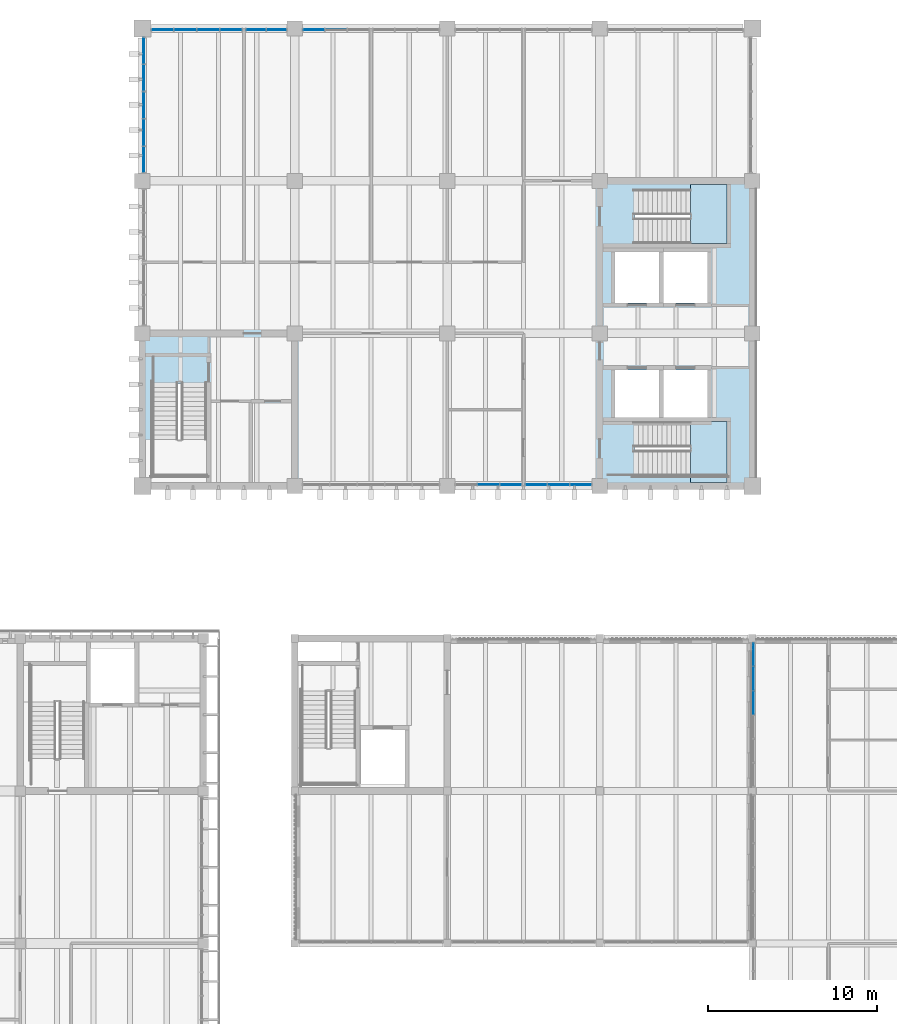
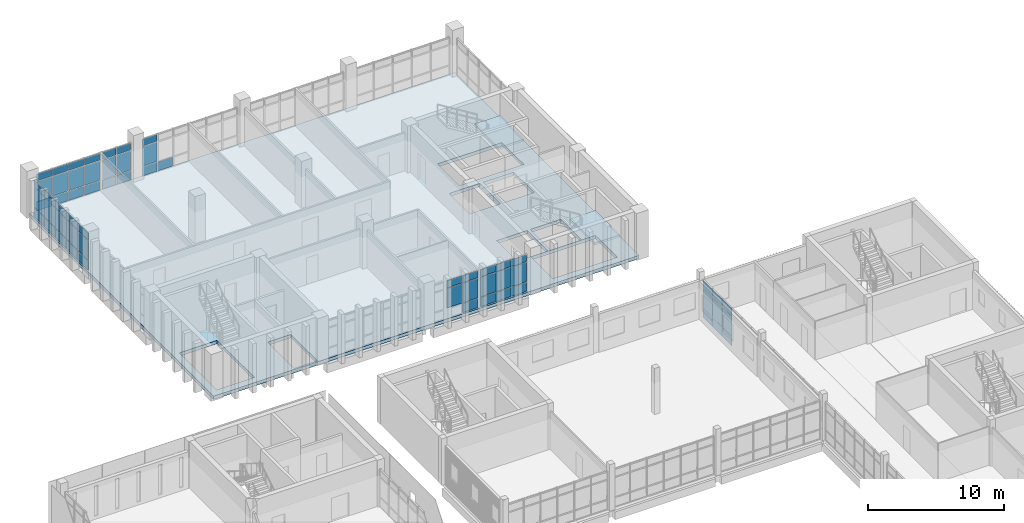
# One storey, part 47 of 88: 60 plates, 3 slabs, 9 elements without a shape of their own.
"""IFC4 building model written with IfcOpenShell, lengths in metres."""

from ifc_helpers import new_model, si_unit, direction, frame, origin, origin_2d, place, context, subcontext, project, spatial, polyline, rectangle, outline, extrude, material, layer, layer_set, type_object, element, aggregate, save


model = new_model("IFC4")

# Units and contexts
model_context = context("Model", 3, precision=1e-05, world=origin(), true_north=direction((0.0, 1.0)))
body_context = subcontext(model_context, "Body", "Model", "MODEL_VIEW")
ifc_project = project(units=[si_unit("LENGTHUNIT", "METRE"), si_unit("AREAUNIT", "SQUARE_METRE"), si_unit("VOLUMEUNIT", "CUBIC_METRE"), si_unit("PLANEANGLEUNIT", "RADIAN"), si_unit("MASSUNIT", "GRAM", prefix="KILO")], contexts=[model_context])

# Site, building, storey
site_placement = place(None, origin())
site = spatial("IfcSite", under=ifc_project, at=site_placement, CompositionType="ELEMENT")
building_placement = place(site_placement, origin())
building = spatial("IfcBuilding", under=site, at=building_placement, Name="Merrow Basin Faculty of Sciences", CompositionType="ELEMENT")
storey_placement = place(building_placement, frame((0.0, 0.0, 9.0)))
storey = spatial("IfcBuildingStorey", under=building, at=storey_placement, Name="L02", CompositionType="ELEMENT", Elevation=9.0)

# Slab
ifc_material_1 = material(Name="Concrete C40/50", Category="concrete")
ifc_layer_1 = layer(ifc_material_1, 0.300048828125)
ifc_layer_set_1 = layer_set([ifc_layer_1], Name="Floor slab 300 Concrete C40/50")
slab_type_1 = type_object("IfcSlabType", Name="Floor slab 300 Concrete C40/50", PredefinedType="FLOOR", material=ifc_layer_set_1)
slab_1_placement = place(storey_placement, frame((0.0, 0.0, -0.300048828125)))
element("IfcSlab", 1, at=slab_1_placement, inside=storey, type_object=slab_type_1, Name="SL11 floor L02 001", PredefinedType="FLOOR", context=body_context, shape_type="SweptSolid", body=[
    extrude(outline(polyline([(54.0, 169.0), (54.0, 142.0), (18.0, 142.0), (18.0, 169.0), (54.0, 169.0)]), holes=[polyline([(52.5, 142.60009765625), (52.5, 145.800048828125), (47.050048828125, 145.800048828125), (47.050048828125, 142.60009765625), (52.5, 142.60009765625)]), polyline([(52.5, 156.300048828125), (52.5, 159.5), (47.050048828125, 159.5), (47.050048828125, 156.300048828125), (52.5, 156.300048828125)]), polyline([(51.35009765625, 145.85009765625), (51.35009765625, 148.85009765625), (48.75, 148.85009765625), (48.75, 145.85009765625), (51.35009765625, 145.85009765625)]), polyline([(51.35009765625, 152.800048828125), (51.35009765625, 155.800048828125), (48.75, 155.800048828125), (48.75, 152.800048828125), (51.35009765625, 152.800048828125)]), polyline([(48.5, 145.85009765625), (48.5, 148.85009765625), (45.89990234375, 148.85009765625), (45.89990234375, 145.85009765625), (48.5, 145.85009765625)]), polyline([(48.5, 152.800048828125), (48.5, 155.800048828125), (45.89990234375, 155.800048828125), (45.89990234375, 152.800048828125), (48.5, 152.800048828125)]), polyline([(26.85009765625, 142.14990234375), (26.85009765625, 146.0), (24.90087890625, 146.0), (24.90087890625, 142.14990234375), (26.85009765625, 142.14990234375)]), polyline([(21.800048828125, 142.60009765625), (21.800048828125, 148.050048828125), (18.60009765625, 148.050048828125), (18.60009765625, 142.60009765625), (21.800048828125, 142.60009765625)])]), origin(), (0.0, 0.0, 1.0), 0.300048828125),
])

# Curtain wall, plates
ifc_material_2 = material(Name="Aluminium alloy 6063", Category="aluminium")
curtain_wall_type_1 = type_object("IfcCurtainWallType", Name="Court curtain wall 140", PredefinedType="NOTDEFINED", material=ifc_material_2)
curtain_wall_1_placement = place(storey_placement, origin())
curtain_wall_1 = element("IfcCurtainWall", 2, at=curtain_wall_1_placement, inside=storey, type_object=curtain_wall_type_1, Name="Court curtain wall L02 8", PredefinedType="NOTDEFINED")
ifc_material_3 = material(Name="Insulated aluminium spandrel panel", Category="aluminium")
ifc_layer_2 = layer(ifc_material_3, 0.052001953125)
ifc_layer_set_2 = layer_set([ifc_layer_2], Name="Insulated spandrel panel 52")
plate_type_1 = type_object("IfcPlateType", Name="Insulated spandrel panel 52", PredefinedType="CURTAIN_PANEL", material=ifc_layer_set_2)
plate_1_placement = place(storey_placement, frame((54.070068359375, 129.21240234375, 0.06005859375), z_axis=(0.0, 0.0, 1.0), x_axis=(0.0, 1.0, 0.0)))
plate_1 = element("IfcPlate", 3, at=plate_1_placement, type_object=plate_type_1, Name="CW8 panel 4.1", PredefinedType="CURTAIN_PANEL", context=body_context, shape_type="SweptSolid", body=[
    extrude(rectangle(XDim=1.364990234375, YDim=0.052001953125, at=origin_2d()), origin(), (0.0, 0.0, 1.0), 0.81005859375),
])
plate_2_placement = place(storey_placement, frame((54.070068359375, 130.637451171875, 0.06005859375), z_axis=(0.0, 0.0, 1.0), x_axis=(0.0, 1.0, 0.0)))
plate_2 = element("IfcPlate", 4, at=plate_2_placement, type_object=plate_type_1, Name="CW8 panel 5.1", PredefinedType="CURTAIN_PANEL", context=body_context, shape_type="SweptSolid", body=[
    extrude(rectangle(XDim=1.364990234375, YDim=0.052001953125, at=origin_2d()), origin(), (0.0, 0.0, 1.0), 0.81005859375),
])
plate_3_placement = place(storey_placement, frame((54.070068359375, 132.047607421875, 0.06005859375), z_axis=(0.0, 0.0, 1.0), x_axis=(0.0, 1.0, 0.0)))
plate_3 = element("IfcPlate", 5, at=plate_3_placement, type_object=plate_type_1, Name="CW8 panel 6.1", PredefinedType="CURTAIN_PANEL", context=body_context, shape_type="SweptSolid", body=[
    extrude(rectangle(XDim=1.3349609375, YDim=0.052001953125, at=origin_2d()), origin(), (0.0, 0.0, 1.0), 0.81005859375),
])

ifc_material_4 = material(Name="Aluminium alloy 6063", Category="aluminium")
curtain_wall_type_2 = type_object("IfcCurtainWallType", Name="Unitised curtain wall 160", PredefinedType="NOTDEFINED", material=ifc_material_4)
curtain_wall_2_placement = place(storey_placement, origin())
curtain_wall_2 = element("IfcCurtainWall", 6, at=curtain_wall_2_placement, inside=storey, type_object=curtain_wall_type_2, Name="W curtain wall L02 3", PredefinedType="NOTDEFINED")
plate_4_placement = place(storey_placement, frame((18.080078125, 161.27001953125, 0.06005859375), z_axis=(0.0, 0.0, 1.0), x_axis=(0.0, 1.0, 0.0)))
plate_4 = element("IfcPlate", 7, at=plate_4_placement, type_object=plate_type_1, Name="CW3 panel 1.1", PredefinedType="CURTAIN_PANEL", context=body_context, shape_type="SweptSolid", body=[
    extrude(rectangle(XDim=1.52001953125, YDim=0.052001953125, at=origin_2d()), origin(), (0.0, 0.0, 1.0), 0.81005859375),
])
plate_5_placement = place(storey_placement, frame((18.080078125, 162.864990234375, 0.06005859375), z_axis=(0.0, 0.0, 1.0), x_axis=(0.0, 1.0, 0.0)))
plate_5 = element("IfcPlate", 8, at=plate_5_placement, type_object=plate_type_1, Name="CW3 panel 2.1", PredefinedType="CURTAIN_PANEL", context=body_context, shape_type="SweptSolid", body=[
    extrude(rectangle(XDim=1.550048828125, YDim=0.052001953125, at=origin_2d()), origin(), (0.0, 0.0, 1.0), 0.81005859375),
])
plate_6_placement = place(storey_placement, frame((18.080078125, 164.47509765625, 0.06005859375), z_axis=(0.0, 0.0, 1.0), x_axis=(0.0, 1.0, 0.0)))
plate_6 = element("IfcPlate", 9, at=plate_6_placement, type_object=plate_type_1, Name="CW3 panel 3.1", PredefinedType="CURTAIN_PANEL", context=body_context, shape_type="SweptSolid", body=[
    extrude(rectangle(XDim=1.550048828125, YDim=0.052001953125, at=origin_2d()), origin(), (0.0, 0.0, 1.0), 0.81005859375),
])
plate_7_placement = place(storey_placement, frame((18.080078125, 166.0849609375, 0.06005859375), z_axis=(0.0, 0.0, 1.0), x_axis=(0.0, 1.0, 0.0)))
plate_7 = element("IfcPlate", 10, at=plate_7_placement, type_object=plate_type_1, Name="CW3 panel 4.1", PredefinedType="CURTAIN_PANEL", context=body_context, shape_type="SweptSolid", body=[
    extrude(rectangle(XDim=1.550048828125, YDim=0.052001953125, at=origin_2d()), origin(), (0.0, 0.0, 1.0), 0.81005859375),
])
plate_8_placement = place(storey_placement, frame((18.080078125, 167.679931640625, 0.06005859375), z_axis=(0.0, 0.0, 1.0), x_axis=(0.0, 1.0, 0.0)))
plate_8 = element("IfcPlate", 11, at=plate_8_placement, type_object=plate_type_1, Name="CW3 panel 5.1", PredefinedType="CURTAIN_PANEL", context=body_context, shape_type="SweptSolid", body=[
    extrude(rectangle(XDim=1.52001953125, YDim=0.052001953125, at=origin_2d()), origin(), (0.0, 0.0, 1.0), 0.81005859375),
])

curtain_wall_3_placement = place(storey_placement, origin())
curtain_wall_3 = element("IfcCurtainWall", 12, at=curtain_wall_3_placement, inside=storey, type_object=curtain_wall_type_2, Name="N curtain wall L02 1", PredefinedType="NOTDEFINED")
plate_9_placement = place(storey_placement, frame((19.193115234375, 168.919921875, 0.06005859375), z_axis=(0.0, 0.0, 1.0), x_axis=(1.0, 0.0, 0.0)))
plate_9 = element("IfcPlate", 13, at=plate_9_placement, type_object=plate_type_1, Name="CW3 panel 1.1", PredefinedType="CURTAIN_PANEL", context=body_context, shape_type="SweptSolid", body=[
    extrude(rectangle(XDim=1.266357421875, YDim=0.052001953125, at=origin_2d()), origin(), (0.0, 0.0, 1.0), 0.81005859375),
])
plate_10_placement = place(storey_placement, frame((20.534423828125, 168.919921875, 0.06005859375), z_axis=(0.0, 0.0, 1.0), x_axis=(1.0, 0.0, 0.0)))
plate_10 = element("IfcPlate", 14, at=plate_10_placement, type_object=plate_type_1, Name="CW3 panel 2.1", PredefinedType="CURTAIN_PANEL", context=body_context, shape_type="SweptSolid", body=[
    extrude(rectangle(XDim=1.296142578125, YDim=0.052001953125, at=origin_2d()), origin(), (0.0, 0.0, 1.0), 0.81005859375),
])
plate_11_placement = place(storey_placement, frame((21.890625, 168.919921875, 0.06005859375), z_axis=(0.0, 0.0, 1.0), x_axis=(1.0, 0.0, 0.0)))
plate_11 = element("IfcPlate", 15, at=plate_11_placement, type_object=plate_type_1, Name="CW3 panel 3.1", PredefinedType="CURTAIN_PANEL", context=body_context, shape_type="SweptSolid", body=[
    extrude(rectangle(XDim=1.296142578125, YDim=0.052001953125, at=origin_2d()), origin(), (0.0, 0.0, 1.0), 0.81005859375),
])
plate_12_placement = place(storey_placement, frame((23.23193359375, 168.919921875, 0.06005859375), z_axis=(0.0, 0.0, 1.0), x_axis=(1.0, 0.0, 0.0)))
plate_12 = element("IfcPlate", 16, at=plate_12_placement, type_object=plate_type_1, Name="CW3 panel 4.1", PredefinedType="CURTAIN_PANEL", context=body_context, shape_type="SweptSolid", body=[
    extrude(rectangle(XDim=1.266357421875, YDim=0.052001953125, at=origin_2d()), origin(), (0.0, 0.0, 1.0), 0.81005859375),
])

curtain_wall_4_placement = place(storey_placement, origin())
curtain_wall_4 = element("IfcCurtainWall", 17, at=curtain_wall_4_placement, inside=storey, type_object=curtain_wall_type_2, Name="N curtain wall L02 2", PredefinedType="NOTDEFINED")
plate_13_placement = place(storey_placement, frame((24.708740234375, 168.919921875, 0.06005859375), z_axis=(0.0, 0.0, 1.0), x_axis=(1.0, 0.0, 0.0)))
plate_13 = element("IfcPlate", 18, at=plate_13_placement, type_object=plate_type_1, Name="CW3 panel 1.1", PredefinedType="CURTAIN_PANEL", context=body_context, shape_type="SweptSolid", body=[
    extrude(rectangle(XDim=1.1474609375, YDim=0.052001953125, at=origin_2d()), origin(), (0.0, 0.0, 1.0), 0.81005859375),
])
plate_14_placement = place(storey_placement, frame((25.916259765625, 168.919921875, 0.06005859375), z_axis=(0.0, 0.0, 1.0), x_axis=(1.0, 0.0, 0.0)))
plate_14 = element("IfcPlate", 19, at=plate_14_placement, type_object=plate_type_1, Name="CW3 panel 2.1", PredefinedType="CURTAIN_PANEL", context=body_context, shape_type="SweptSolid", body=[
    extrude(rectangle(XDim=1.1474609375, YDim=0.052001953125, at=origin_2d()), origin(), (0.0, 0.0, 1.0), 0.81005859375),
])

curtain_wall_5_placement = place(storey_placement, origin())
curtain_wall_5 = element("IfcCurtainWall", 20, at=curtain_wall_5_placement, inside=storey, type_object=curtain_wall_type_2, Name="N curtain wall L02 3", PredefinedType="NOTDEFINED")
plate_15_placement = place(storey_placement, frame((28.12744140625, 168.919921875, 0.06005859375), z_axis=(0.0, 0.0, 1.0), x_axis=(1.0, 0.0, 0.0)))
plate_15 = element("IfcPlate", 21, at=plate_15_placement, type_object=plate_type_1, Name="CW3 panel 1.1", PredefinedType="CURTAIN_PANEL", context=body_context, shape_type="SweptSolid", body=[
    extrude(rectangle(XDim=1.235107421875, YDim=0.052001953125, at=origin_2d()), origin(), (0.0, 0.0, 1.0), 0.81005859375),
])
plate_16_placement = place(storey_placement, frame((29.4375, 168.919921875, 0.06005859375), z_axis=(0.0, 0.0, 1.0), x_axis=(1.0, 0.0, 0.0)))
plate_16 = element("IfcPlate", 22, at=plate_16_placement, type_object=plate_type_1, Name="CW3 panel 2.1", PredefinedType="CURTAIN_PANEL", context=body_context, shape_type="SweptSolid", body=[
    extrude(rectangle(XDim=1.264892578125, YDim=0.052001953125, at=origin_2d()), origin(), (0.0, 0.0, 1.0), 0.81005859375),
])

# Curtain wall, plate
curtain_wall_6_placement = place(storey_placement, origin())
curtain_wall_6 = element("IfcCurtainWall", 23, at=curtain_wall_6_placement, inside=storey, type_object=curtain_wall_type_2, Name="S curtain wall L02 2", PredefinedType="NOTDEFINED")
plate_17_placement = place(storey_placement, frame((39.74755859375, 142.080078125, 0.06005859375), z_axis=(0.0, 0.0, 1.0), x_axis=(1.0, 0.0, 0.0)))
plate_17 = element("IfcPlate", 24, at=plate_17_placement, type_object=plate_type_1, Name="CW3 panel 3.1", PredefinedType="CURTAIN_PANEL", context=body_context, shape_type="SweptSolid", body=[
    extrude(rectangle(XDim=1.235107421875, YDim=0.052001953125, at=origin_2d()), origin(), (0.0, 0.0, 1.0), 0.81005859375),
])

# Curtain wall, plates
curtain_wall_7_placement = place(storey_placement, origin())
curtain_wall_7 = element("IfcCurtainWall", 25, at=curtain_wall_7_placement, inside=storey, type_object=curtain_wall_type_2, Name="S curtain wall L02 3", PredefinedType="NOTDEFINED")
plate_18_placement = place(storey_placement, frame((41.25244140625, 142.080078125, 0.06005859375), z_axis=(0.0, 0.0, 1.0), x_axis=(1.0, 0.0, 0.0)))
plate_18 = element("IfcPlate", 26, at=plate_18_placement, type_object=plate_type_1, Name="CW3 panel 1.1", PredefinedType="CURTAIN_PANEL", context=body_context, shape_type="SweptSolid", body=[
    extrude(rectangle(XDim=1.235107421875, YDim=0.052001953125, at=origin_2d()), origin(), (0.0, 0.0, 1.0), 0.81005859375),
])
plate_19_placement = place(storey_placement, frame((42.5625, 142.080078125, 0.06005859375), z_axis=(0.0, 0.0, 1.0), x_axis=(1.0, 0.0, 0.0)))
plate_19 = element("IfcPlate", 27, at=plate_19_placement, type_object=plate_type_1, Name="CW3 panel 2.1", PredefinedType="CURTAIN_PANEL", context=body_context, shape_type="SweptSolid", body=[
    extrude(rectangle(XDim=1.264892578125, YDim=0.052001953125, at=origin_2d()), origin(), (0.0, 0.0, 1.0), 0.81005859375),
])
plate_20_placement = place(storey_placement, frame((43.87255859375, 142.080078125, 0.06005859375), z_axis=(0.0, 0.0, 1.0), x_axis=(1.0, 0.0, 0.0)))
plate_20 = element("IfcPlate", 28, at=plate_20_placement, type_object=plate_type_1, Name="CW3 panel 3.1", PredefinedType="CURTAIN_PANEL", context=body_context, shape_type="SweptSolid", body=[
    extrude(rectangle(XDim=1.235107421875, YDim=0.052001953125, at=origin_2d()), origin(), (0.0, 0.0, 1.0), 0.81005859375),
])

# Plate
ifc_material_5 = material(Name="Low-E double glazing", Category="glass")
ifc_layer_3 = layer(ifc_material_5, 0.028076171875)
ifc_layer_set_3 = layer_set([ifc_layer_3], Name="Low-E double glazed panel 28")
plate_type_2 = type_object("IfcPlateType", Name="Low-E double glazed panel 28", PredefinedType="CURTAIN_PANEL", material=ifc_layer_set_3)
plate_21_placement = place(storey_placement, frame((54.070068359375, 129.21240234375, 0.93017578125), z_axis=(0.0, 0.0, 1.0), x_axis=(0.0, 1.0, 0.0)))
plate_21 = element("IfcPlate", 29, at=plate_21_placement, type_object=plate_type_2, Name="CW8 panel 4.2", PredefinedType="CURTAIN_PANEL", context=body_context, shape_type="SweptSolid", body=[
    extrude(rectangle(XDim=1.364990234375, YDim=0.028076171875, at=origin_2d()), origin(), (0.0, 0.0, 1.0), 1.739990234375),
])

plate_22_placement = place(storey_placement, frame((54.070068359375, 129.21240234375, 2.72998046875), z_axis=(0.0, 0.0, 1.0), x_axis=(0.0, 1.0, 0.0)))
plate_22 = element("IfcPlate", 30, at=plate_22_placement, type_object=plate_type_2, Name="CW8 panel 4.3", PredefinedType="CURTAIN_PANEL", context=body_context, shape_type="SweptSolid", body=[
    extrude(rectangle(XDim=1.364990234375, YDim=0.028076171875, at=origin_2d()), origin(), (0.0, 0.0, 1.0), 0.659912109375),
])

plate_23_placement = place(storey_placement, frame((54.070068359375, 130.637451171875, 0.93017578125), z_axis=(0.0, 0.0, 1.0), x_axis=(0.0, 1.0, 0.0)))
plate_23 = element("IfcPlate", 31, at=plate_23_placement, type_object=plate_type_2, Name="CW8 panel 5.2", PredefinedType="CURTAIN_PANEL", context=body_context, shape_type="SweptSolid", body=[
    extrude(rectangle(XDim=1.364990234375, YDim=0.028076171875, at=origin_2d()), origin(), (0.0, 0.0, 1.0), 1.739990234375),
])

plate_24_placement = place(storey_placement, frame((54.070068359375, 130.637451171875, 2.72998046875), z_axis=(0.0, 0.0, 1.0), x_axis=(0.0, 1.0, 0.0)))
plate_24 = element("IfcPlate", 32, at=plate_24_placement, type_object=plate_type_2, Name="CW8 panel 5.3", PredefinedType="CURTAIN_PANEL", context=body_context, shape_type="SweptSolid", body=[
    extrude(rectangle(XDim=1.364990234375, YDim=0.028076171875, at=origin_2d()), origin(), (0.0, 0.0, 1.0), 0.659912109375),
])

plate_25_placement = place(storey_placement, frame((54.070068359375, 132.047607421875, 0.93017578125), z_axis=(0.0, 0.0, 1.0), x_axis=(0.0, 1.0, 0.0)))
plate_25 = element("IfcPlate", 33, at=plate_25_placement, type_object=plate_type_2, Name="CW8 panel 6.2", PredefinedType="CURTAIN_PANEL", context=body_context, shape_type="SweptSolid", body=[
    extrude(rectangle(XDim=1.3349609375, YDim=0.028076171875, at=origin_2d()), origin(), (0.0, 0.0, 1.0), 1.739990234375),
])

plate_26_placement = place(storey_placement, frame((54.070068359375, 132.047607421875, 2.72998046875), z_axis=(0.0, 0.0, 1.0), x_axis=(0.0, 1.0, 0.0)))
plate_26 = element("IfcPlate", 34, at=plate_26_placement, type_object=plate_type_2, Name="CW8 panel 6.3", PredefinedType="CURTAIN_PANEL", context=body_context, shape_type="SweptSolid", body=[
    extrude(rectangle(XDim=1.3349609375, YDim=0.028076171875, at=origin_2d()), origin(), (0.0, 0.0, 1.0), 0.659912109375),
])

aggregate(curtain_wall_1, [plate_1, plate_21, plate_22, plate_2, plate_23, plate_24, plate_3, plate_25, plate_26])

plate_27_placement = place(storey_placement, frame((18.080078125, 161.27001953125, 0.93017578125), z_axis=(0.0, 0.0, 1.0), x_axis=(0.0, 1.0, 0.0)))
plate_27 = element("IfcPlate", 35, at=plate_27_placement, type_object=plate_type_2, Name="CW3 panel 1.2", PredefinedType="CURTAIN_PANEL", context=body_context, shape_type="SweptSolid", body=[
    extrude(rectangle(XDim=1.52001953125, YDim=0.028076171875, at=origin_2d()), origin(), (0.0, 0.0, 1.0), 1.739990234375),
])

plate_28_placement = place(storey_placement, frame((18.080078125, 161.27001953125, 2.72998046875), z_axis=(0.0, 0.0, 1.0), x_axis=(0.0, 1.0, 0.0)))
plate_28 = element("IfcPlate", 36, at=plate_28_placement, type_object=plate_type_2, Name="CW3 panel 1.3", PredefinedType="CURTAIN_PANEL", context=body_context, shape_type="SweptSolid", body=[
    extrude(rectangle(XDim=1.52001953125, YDim=0.028076171875, at=origin_2d()), origin(), (0.0, 0.0, 1.0), 0.610107421875),
])

plate_29_placement = place(storey_placement, frame((18.080078125, 162.864990234375, 0.93017578125), z_axis=(0.0, 0.0, 1.0), x_axis=(0.0, 1.0, 0.0)))
plate_29 = element("IfcPlate", 37, at=plate_29_placement, type_object=plate_type_2, Name="CW3 panel 2.2", PredefinedType="CURTAIN_PANEL", context=body_context, shape_type="SweptSolid", body=[
    extrude(rectangle(XDim=1.550048828125, YDim=0.028076171875, at=origin_2d()), origin(), (0.0, 0.0, 1.0), 1.739990234375),
])

plate_30_placement = place(storey_placement, frame((18.080078125, 162.864990234375, 2.72998046875), z_axis=(0.0, 0.0, 1.0), x_axis=(0.0, 1.0, 0.0)))
plate_30 = element("IfcPlate", 38, at=plate_30_placement, type_object=plate_type_2, Name="CW3 panel 2.3", PredefinedType="CURTAIN_PANEL", context=body_context, shape_type="SweptSolid", body=[
    extrude(rectangle(XDim=1.550048828125, YDim=0.028076171875, at=origin_2d()), origin(), (0.0, 0.0, 1.0), 0.610107421875),
])

plate_31_placement = place(storey_placement, frame((18.080078125, 164.47509765625, 0.93017578125), z_axis=(0.0, 0.0, 1.0), x_axis=(0.0, 1.0, 0.0)))
plate_31 = element("IfcPlate", 39, at=plate_31_placement, type_object=plate_type_2, Name="CW3 panel 3.2", PredefinedType="CURTAIN_PANEL", context=body_context, shape_type="SweptSolid", body=[
    extrude(rectangle(XDim=1.550048828125, YDim=0.028076171875, at=origin_2d()), origin(), (0.0, 0.0, 1.0), 1.739990234375),
])

plate_32_placement = place(storey_placement, frame((18.080078125, 164.47509765625, 2.72998046875), z_axis=(0.0, 0.0, 1.0), x_axis=(0.0, 1.0, 0.0)))
plate_32 = element("IfcPlate", 40, at=plate_32_placement, type_object=plate_type_2, Name="CW3 panel 3.3", PredefinedType="CURTAIN_PANEL", context=body_context, shape_type="SweptSolid", body=[
    extrude(rectangle(XDim=1.550048828125, YDim=0.028076171875, at=origin_2d()), origin(), (0.0, 0.0, 1.0), 0.610107421875),
])

plate_33_placement = place(storey_placement, frame((18.080078125, 166.0849609375, 0.93017578125), z_axis=(0.0, 0.0, 1.0), x_axis=(0.0, 1.0, 0.0)))
plate_33 = element("IfcPlate", 41, at=plate_33_placement, type_object=plate_type_2, Name="CW3 panel 4.2", PredefinedType="CURTAIN_PANEL", context=body_context, shape_type="SweptSolid", body=[
    extrude(rectangle(XDim=1.550048828125, YDim=0.028076171875, at=origin_2d()), origin(), (0.0, 0.0, 1.0), 1.739990234375),
])

plate_34_placement = place(storey_placement, frame((18.080078125, 166.0849609375, 2.72998046875), z_axis=(0.0, 0.0, 1.0), x_axis=(0.0, 1.0, 0.0)))
plate_34 = element("IfcPlate", 42, at=plate_34_placement, type_object=plate_type_2, Name="CW3 panel 4.3", PredefinedType="CURTAIN_PANEL", context=body_context, shape_type="SweptSolid", body=[
    extrude(rectangle(XDim=1.550048828125, YDim=0.028076171875, at=origin_2d()), origin(), (0.0, 0.0, 1.0), 0.610107421875),
])

plate_35_placement = place(storey_placement, frame((18.080078125, 167.679931640625, 0.93017578125), z_axis=(0.0, 0.0, 1.0), x_axis=(0.0, 1.0, 0.0)))
plate_35 = element("IfcPlate", 43, at=plate_35_placement, type_object=plate_type_2, Name="CW3 panel 5.2", PredefinedType="CURTAIN_PANEL", context=body_context, shape_type="SweptSolid", body=[
    extrude(rectangle(XDim=1.52001953125, YDim=0.028076171875, at=origin_2d()), origin(), (0.0, 0.0, 1.0), 1.739990234375),
])

plate_36_placement = place(storey_placement, frame((18.080078125, 167.679931640625, 2.72998046875), z_axis=(0.0, 0.0, 1.0), x_axis=(0.0, 1.0, 0.0)))
plate_36 = element("IfcPlate", 44, at=plate_36_placement, type_object=plate_type_2, Name="CW3 panel 5.3", PredefinedType="CURTAIN_PANEL", context=body_context, shape_type="SweptSolid", body=[
    extrude(rectangle(XDim=1.52001953125, YDim=0.028076171875, at=origin_2d()), origin(), (0.0, 0.0, 1.0), 0.610107421875),
])

aggregate(curtain_wall_2, [plate_4, plate_27, plate_28, plate_5, plate_29, plate_30, plate_6, plate_31, plate_32, plate_7, plate_33, plate_34, plate_8, plate_35, plate_36])

plate_37_placement = place(storey_placement, frame((19.193115234375, 168.919921875, 0.93017578125), z_axis=(0.0, 0.0, 1.0), x_axis=(1.0, 0.0, 0.0)))
plate_37 = element("IfcPlate", 45, at=plate_37_placement, type_object=plate_type_2, Name="CW3 panel 1.2", PredefinedType="CURTAIN_PANEL", context=body_context, shape_type="SweptSolid", body=[
    extrude(rectangle(XDim=1.266357421875, YDim=0.028076171875, at=origin_2d()), origin(), (0.0, 0.0, 1.0), 1.739990234375),
])

plate_38_placement = place(storey_placement, frame((19.193115234375, 168.919921875, 2.72998046875), z_axis=(0.0, 0.0, 1.0), x_axis=(1.0, 0.0, 0.0)))
plate_38 = element("IfcPlate", 46, at=plate_38_placement, type_object=plate_type_2, Name="CW3 panel 1.3", PredefinedType="CURTAIN_PANEL", context=body_context, shape_type="SweptSolid", body=[
    extrude(rectangle(XDim=1.266357421875, YDim=0.028076171875, at=origin_2d()), origin(), (0.0, 0.0, 1.0), 0.610107421875),
])

plate_39_placement = place(storey_placement, frame((20.534423828125, 168.919921875, 0.93017578125), z_axis=(0.0, 0.0, 1.0), x_axis=(1.0, 0.0, 0.0)))
plate_39 = element("IfcPlate", 47, at=plate_39_placement, type_object=plate_type_2, Name="CW3 panel 2.2", PredefinedType="CURTAIN_PANEL", context=body_context, shape_type="SweptSolid", body=[
    extrude(rectangle(XDim=1.296142578125, YDim=0.028076171875, at=origin_2d()), origin(), (0.0, 0.0, 1.0), 1.739990234375),
])

plate_40_placement = place(storey_placement, frame((20.534423828125, 168.919921875, 2.72998046875), z_axis=(0.0, 0.0, 1.0), x_axis=(1.0, 0.0, 0.0)))
plate_40 = element("IfcPlate", 48, at=plate_40_placement, type_object=plate_type_2, Name="CW3 panel 2.3", PredefinedType="CURTAIN_PANEL", context=body_context, shape_type="SweptSolid", body=[
    extrude(rectangle(XDim=1.296142578125, YDim=0.028076171875, at=origin_2d()), origin(), (0.0, 0.0, 1.0), 0.610107421875),
])

plate_41_placement = place(storey_placement, frame((21.890625, 168.919921875, 0.93017578125), z_axis=(0.0, 0.0, 1.0), x_axis=(1.0, 0.0, 0.0)))
plate_41 = element("IfcPlate", 49, at=plate_41_placement, type_object=plate_type_2, Name="CW3 panel 3.2", PredefinedType="CURTAIN_PANEL", context=body_context, shape_type="SweptSolid", body=[
    extrude(rectangle(XDim=1.296142578125, YDim=0.028076171875, at=origin_2d()), origin(), (0.0, 0.0, 1.0), 1.739990234375),
])

plate_42_placement = place(storey_placement, frame((21.890625, 168.919921875, 2.72998046875), z_axis=(0.0, 0.0, 1.0), x_axis=(1.0, 0.0, 0.0)))
plate_42 = element("IfcPlate", 50, at=plate_42_placement, type_object=plate_type_2, Name="CW3 panel 3.3", PredefinedType="CURTAIN_PANEL", context=body_context, shape_type="SweptSolid", body=[
    extrude(rectangle(XDim=1.296142578125, YDim=0.028076171875, at=origin_2d()), origin(), (0.0, 0.0, 1.0), 0.610107421875),
])

plate_43_placement = place(storey_placement, frame((23.23193359375, 168.919921875, 0.93017578125), z_axis=(0.0, 0.0, 1.0), x_axis=(1.0, 0.0, 0.0)))
plate_43 = element("IfcPlate", 51, at=plate_43_placement, type_object=plate_type_2, Name="CW3 panel 4.2", PredefinedType="CURTAIN_PANEL", context=body_context, shape_type="SweptSolid", body=[
    extrude(rectangle(XDim=1.266357421875, YDim=0.028076171875, at=origin_2d()), origin(), (0.0, 0.0, 1.0), 1.739990234375),
])

plate_44_placement = place(storey_placement, frame((23.23193359375, 168.919921875, 2.72998046875), z_axis=(0.0, 0.0, 1.0), x_axis=(1.0, 0.0, 0.0)))
plate_44 = element("IfcPlate", 52, at=plate_44_placement, type_object=plate_type_2, Name="CW3 panel 4.3", PredefinedType="CURTAIN_PANEL", context=body_context, shape_type="SweptSolid", body=[
    extrude(rectangle(XDim=1.266357421875, YDim=0.028076171875, at=origin_2d()), origin(), (0.0, 0.0, 1.0), 0.610107421875),
])

aggregate(curtain_wall_3, [plate_9, plate_37, plate_38, plate_10, plate_39, plate_40, plate_11, plate_41, plate_42, plate_12, plate_43, plate_44])

plate_45_placement = place(storey_placement, frame((24.708740234375, 168.919921875, 0.93017578125), z_axis=(0.0, 0.0, 1.0), x_axis=(1.0, 0.0, 0.0)))
plate_45 = element("IfcPlate", 53, at=plate_45_placement, type_object=plate_type_2, Name="CW3 panel 1.2", PredefinedType="CURTAIN_PANEL", context=body_context, shape_type="SweptSolid", body=[
    extrude(rectangle(XDim=1.1474609375, YDim=0.028076171875, at=origin_2d()), origin(), (0.0, 0.0, 1.0), 1.739990234375),
])

plate_46_placement = place(storey_placement, frame((24.708740234375, 168.919921875, 2.72998046875), z_axis=(0.0, 0.0, 1.0), x_axis=(1.0, 0.0, 0.0)))
plate_46 = element("IfcPlate", 54, at=plate_46_placement, type_object=plate_type_2, Name="CW3 panel 1.3", PredefinedType="CURTAIN_PANEL", context=body_context, shape_type="SweptSolid", body=[
    extrude(rectangle(XDim=1.1474609375, YDim=0.028076171875, at=origin_2d()), origin(), (0.0, 0.0, 1.0), 0.610107421875),
])

plate_47_placement = place(storey_placement, frame((25.916259765625, 168.919921875, 0.93017578125), z_axis=(0.0, 0.0, 1.0), x_axis=(1.0, 0.0, 0.0)))
plate_47 = element("IfcPlate", 55, at=plate_47_placement, type_object=plate_type_2, Name="CW3 panel 2.2", PredefinedType="CURTAIN_PANEL", context=body_context, shape_type="SweptSolid", body=[
    extrude(rectangle(XDim=1.1474609375, YDim=0.028076171875, at=origin_2d()), origin(), (0.0, 0.0, 1.0), 1.739990234375),
])

plate_48_placement = place(storey_placement, frame((25.916259765625, 168.919921875, 2.72998046875), z_axis=(0.0, 0.0, 1.0), x_axis=(1.0, 0.0, 0.0)))
plate_48 = element("IfcPlate", 56, at=plate_48_placement, type_object=plate_type_2, Name="CW3 panel 2.3", PredefinedType="CURTAIN_PANEL", context=body_context, shape_type="SweptSolid", body=[
    extrude(rectangle(XDim=1.1474609375, YDim=0.028076171875, at=origin_2d()), origin(), (0.0, 0.0, 1.0), 0.610107421875),
])

aggregate(curtain_wall_4, [plate_13, plate_45, plate_46, plate_14, plate_47, plate_48])

plate_49_placement = place(storey_placement, frame((28.12744140625, 168.919921875, 0.93017578125), z_axis=(0.0, 0.0, 1.0), x_axis=(1.0, 0.0, 0.0)))
plate_49 = element("IfcPlate", 57, at=plate_49_placement, type_object=plate_type_2, Name="CW3 panel 1.2", PredefinedType="CURTAIN_PANEL", context=body_context, shape_type="SweptSolid", body=[
    extrude(rectangle(XDim=1.235107421875, YDim=0.028076171875, at=origin_2d()), origin(), (0.0, 0.0, 1.0), 1.739990234375),
])

plate_50_placement = place(storey_placement, frame((28.12744140625, 168.919921875, 2.72998046875), z_axis=(0.0, 0.0, 1.0), x_axis=(1.0, 0.0, 0.0)))
plate_50 = element("IfcPlate", 58, at=plate_50_placement, type_object=plate_type_2, Name="CW3 panel 1.3", PredefinedType="CURTAIN_PANEL", context=body_context, shape_type="SweptSolid", body=[
    extrude(rectangle(XDim=1.235107421875, YDim=0.028076171875, at=origin_2d()), origin(), (0.0, 0.0, 1.0), 0.610107421875),
])

aggregate(curtain_wall_5, [plate_15, plate_49, plate_50, plate_16])

plate_51_placement = place(storey_placement, frame((38.4375, 142.080078125, 0.93017578125), z_axis=(0.0, 0.0, 1.0), x_axis=(1.0, 0.0, 0.0)))
plate_51 = element("IfcPlate", 59, at=plate_51_placement, type_object=plate_type_2, Name="CW3 panel 2.2", PredefinedType="CURTAIN_PANEL", context=body_context, shape_type="SweptSolid", body=[
    extrude(rectangle(XDim=1.264892578125, YDim=0.028076171875, at=origin_2d()), origin(), (0.0, 0.0, 1.0), 1.739990234375),
])

plate_52_placement = place(storey_placement, frame((38.4375, 142.080078125, 2.72998046875), z_axis=(0.0, 0.0, 1.0), x_axis=(1.0, 0.0, 0.0)))
plate_52 = element("IfcPlate", 60, at=plate_52_placement, type_object=plate_type_2, Name="CW3 panel 2.3", PredefinedType="CURTAIN_PANEL", context=body_context, shape_type="SweptSolid", body=[
    extrude(rectangle(XDim=1.264892578125, YDim=0.028076171875, at=origin_2d()), origin(), (0.0, 0.0, 1.0), 0.610107421875),
])

plate_53_placement = place(storey_placement, frame((39.74755859375, 142.080078125, 0.93017578125), z_axis=(0.0, 0.0, 1.0), x_axis=(1.0, 0.0, 0.0)))
plate_53 = element("IfcPlate", 61, at=plate_53_placement, type_object=plate_type_2, Name="CW3 panel 3.2", PredefinedType="CURTAIN_PANEL", context=body_context, shape_type="SweptSolid", body=[
    extrude(rectangle(XDim=1.235107421875, YDim=0.028076171875, at=origin_2d()), origin(), (0.0, 0.0, 1.0), 1.739990234375),
])

plate_54_placement = place(storey_placement, frame((39.74755859375, 142.080078125, 2.72998046875), z_axis=(0.0, 0.0, 1.0), x_axis=(1.0, 0.0, 0.0)))
plate_54 = element("IfcPlate", 62, at=plate_54_placement, type_object=plate_type_2, Name="CW3 panel 3.3", PredefinedType="CURTAIN_PANEL", context=body_context, shape_type="SweptSolid", body=[
    extrude(rectangle(XDim=1.235107421875, YDim=0.028076171875, at=origin_2d()), origin(), (0.0, 0.0, 1.0), 0.610107421875),
])

aggregate(curtain_wall_6, [plate_51, plate_52, plate_17, plate_53, plate_54])

plate_55_placement = place(storey_placement, frame((41.25244140625, 142.080078125, 0.93017578125), z_axis=(0.0, 0.0, 1.0), x_axis=(1.0, 0.0, 0.0)))
plate_55 = element("IfcPlate", 63, at=plate_55_placement, type_object=plate_type_2, Name="CW3 panel 1.2", PredefinedType="CURTAIN_PANEL", context=body_context, shape_type="SweptSolid", body=[
    extrude(rectangle(XDim=1.235107421875, YDim=0.028076171875, at=origin_2d()), origin(), (0.0, 0.0, 1.0), 1.739990234375),
])

plate_56_placement = place(storey_placement, frame((41.25244140625, 142.080078125, 2.72998046875), z_axis=(0.0, 0.0, 1.0), x_axis=(1.0, 0.0, 0.0)))
plate_56 = element("IfcPlate", 64, at=plate_56_placement, type_object=plate_type_2, Name="CW3 panel 1.3", PredefinedType="CURTAIN_PANEL", context=body_context, shape_type="SweptSolid", body=[
    extrude(rectangle(XDim=1.235107421875, YDim=0.028076171875, at=origin_2d()), origin(), (0.0, 0.0, 1.0), 0.610107421875),
])

plate_57_placement = place(storey_placement, frame((42.5625, 142.080078125, 0.93017578125), z_axis=(0.0, 0.0, 1.0), x_axis=(1.0, 0.0, 0.0)))
plate_57 = element("IfcPlate", 65, at=plate_57_placement, type_object=plate_type_2, Name="CW3 panel 2.2", PredefinedType="CURTAIN_PANEL", context=body_context, shape_type="SweptSolid", body=[
    extrude(rectangle(XDim=1.264892578125, YDim=0.028076171875, at=origin_2d()), origin(), (0.0, 0.0, 1.0), 1.739990234375),
])

plate_58_placement = place(storey_placement, frame((42.5625, 142.080078125, 2.72998046875), z_axis=(0.0, 0.0, 1.0), x_axis=(1.0, 0.0, 0.0)))
plate_58 = element("IfcPlate", 66, at=plate_58_placement, type_object=plate_type_2, Name="CW3 panel 2.3", PredefinedType="CURTAIN_PANEL", context=body_context, shape_type="SweptSolid", body=[
    extrude(rectangle(XDim=1.264892578125, YDim=0.028076171875, at=origin_2d()), origin(), (0.0, 0.0, 1.0), 0.610107421875),
])

plate_59_placement = place(storey_placement, frame((43.87255859375, 142.080078125, 0.93017578125), z_axis=(0.0, 0.0, 1.0), x_axis=(1.0, 0.0, 0.0)))
plate_59 = element("IfcPlate", 67, at=plate_59_placement, type_object=plate_type_2, Name="CW3 panel 3.2", PredefinedType="CURTAIN_PANEL", context=body_context, shape_type="SweptSolid", body=[
    extrude(rectangle(XDim=1.235107421875, YDim=0.028076171875, at=origin_2d()), origin(), (0.0, 0.0, 1.0), 1.739990234375),
])

plate_60_placement = place(storey_placement, frame((43.87255859375, 142.080078125, 2.72998046875), z_axis=(0.0, 0.0, 1.0), x_axis=(1.0, 0.0, 0.0)))
plate_60 = element("IfcPlate", 68, at=plate_60_placement, type_object=plate_type_2, Name="CW3 panel 3.3", PredefinedType="CURTAIN_PANEL", context=body_context, shape_type="SweptSolid", body=[
    extrude(rectangle(XDim=1.235107421875, YDim=0.028076171875, at=origin_2d()), origin(), (0.0, 0.0, 1.0), 0.610107421875),
])

aggregate(curtain_wall_7, [plate_18, plate_55, plate_56, plate_19, plate_57, plate_58, plate_20, plate_59, plate_60])

# Stair, slab
ifc_material_6 = material(Name="Concrete C40/50", Category="concrete")
stair_type = type_object("IfcStairType", Name="Concrete dog-leg stair Concrete C40/50", PredefinedType="HALF_TURN_STAIR", material=ifc_material_6)
stair_1_placement = place(storey_placement, origin())
stair_1 = element("IfcStair", 69, at=stair_1_placement, inside=storey, type_object=stair_type, Name="L02 Exit stair S", PredefinedType="HALF_TURN_STAIR")
ifc_material_7 = material(Name="Concrete C40/50", Category="concrete")
ifc_layer_4 = layer(ifc_material_7, 0.199951171875)
ifc_layer_set_4 = layer_set([ifc_layer_4], Name="Stair landing 200 Concrete C40/50")
slab_type_2 = type_object("IfcSlabType", Name="Stair landing 200 Concrete C40/50", PredefinedType="LANDING", material=ifc_layer_set_4)
slab_2_placement = place(storey_placement, frame((0.0, 0.0, 2.050048828125)))
slab_2 = element("IfcSlab", 70, at=slab_2_placement, type_object=slab_type_2, Name="ST-V5-S landing 1", PredefinedType="LANDING", context=body_context, shape_type="SweptSolid", body=[
    extrude(outline(polyline([(50.360107421875, 156.300048828125), (52.5, 156.300048828125), (52.5, 159.800048828125), (50.360107421875, 159.800048828125), (50.360107421875, 156.300048828125)])), origin(), (0.0, 0.0, 1.0), 0.199951171875),
])
aggregate(stair_1, [slab_2])

stair_2_placement = place(storey_placement, origin())
stair_2 = element("IfcStair", 71, at=stair_2_placement, inside=storey, type_object=stair_type, Name="L02 Exit stair N", PredefinedType="HALF_TURN_STAIR")
slab_3_placement = place(storey_placement, frame((0.0, 0.0, 2.050048828125)))
slab_3 = element("IfcSlab", 72, at=slab_3_placement, type_object=slab_type_2, Name="ST-V5-N landing 1", PredefinedType="LANDING", context=body_context, shape_type="SweptSolid", body=[
    extrude(outline(polyline([(50.360107421875, 142.199951171875), (52.5, 142.199951171875), (52.5, 145.800048828125), (50.360107421875, 145.800048828125), (50.360107421875, 142.199951171875)])), origin(), (0.0, 0.0, 1.0), 0.199951171875),
])
aggregate(stair_2, [slab_3])

save(model, "model.ifc")
